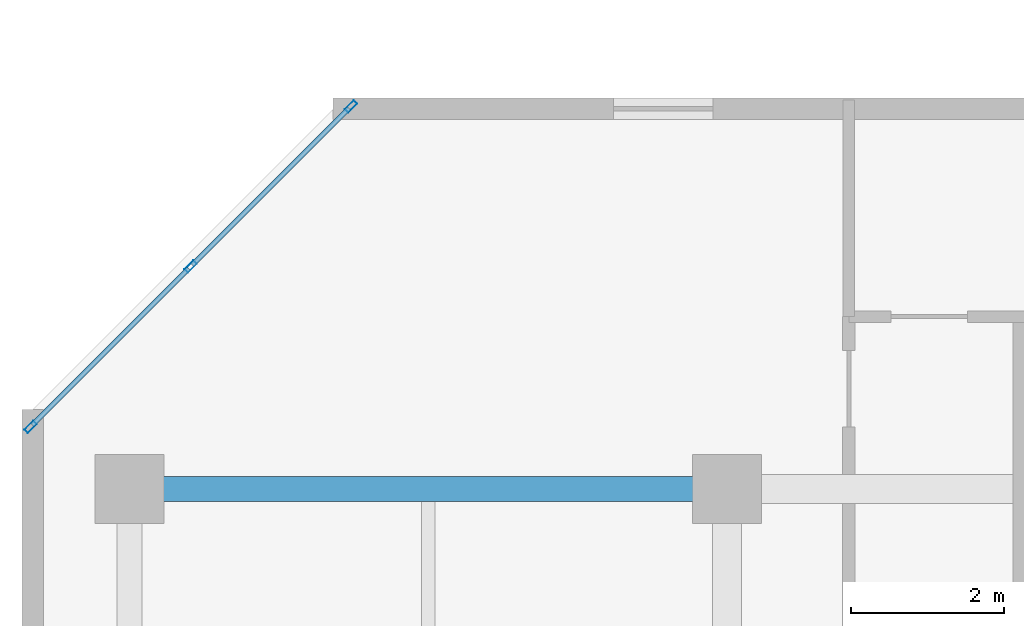
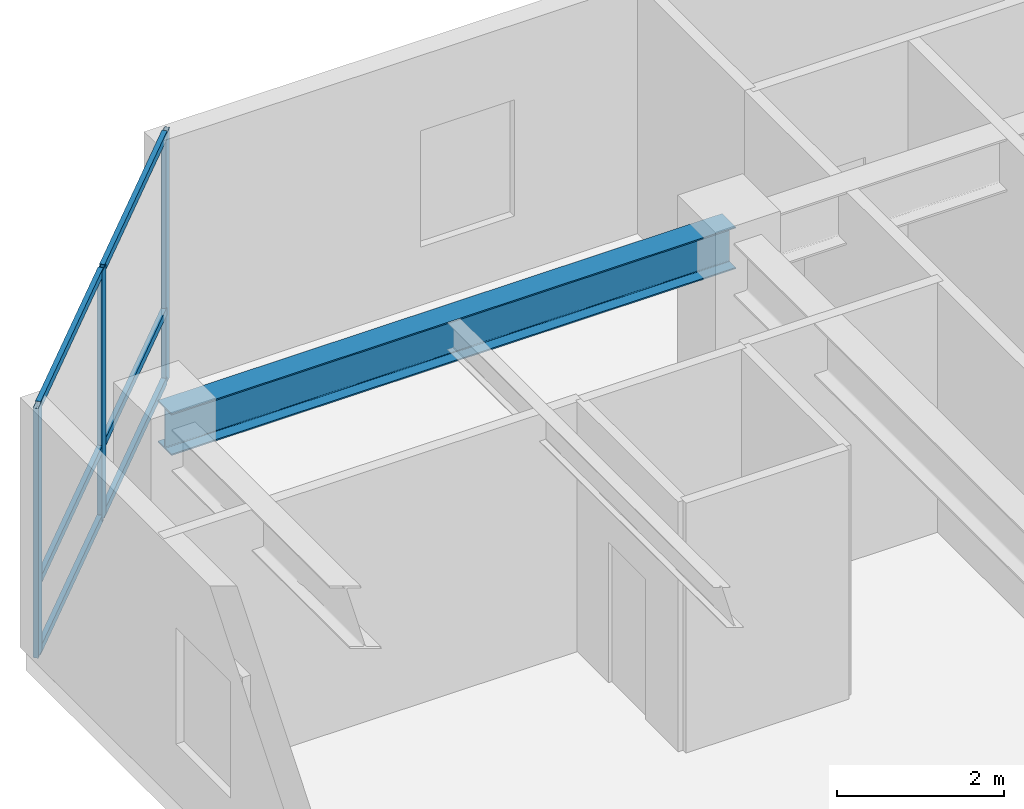
# One storey, part 2 of 10: 9 members, 1 beam, 1 element without a shape of its own.
"""IFC4 building model written with IfcOpenShell, lengths in metres."""

from ifc_helpers import new_model, si_unit, direction, frame, origin, origin_2d, place, context, subcontext, project, spatial, hollow_rectangle, i_section, extrude, material, layer, layer_set, material_profile, profile_set, type_object, element, aggregate, save


model = new_model("IFC4")

# Units and contexts
model_context = context("Model", 3, precision=1e-05, world=origin(), true_north=direction((0.0, 1.0)))
body_context = subcontext(model_context, "Body", "Model", "MODEL_VIEW")
ifc_project = project(units=[si_unit("LENGTHUNIT", "METRE"), si_unit("AREAUNIT", "SQUARE_METRE"), si_unit("VOLUMEUNIT", "CUBIC_METRE"), si_unit("PLANEANGLEUNIT", "RADIAN"), si_unit("MASSUNIT", "GRAM", prefix="KILO")], contexts=[model_context])

# Site, building, storey
site_placement = place(None, origin())
site = spatial("IfcSite", under=ifc_project, at=site_placement, CompositionType="ELEMENT")
building_placement = place(site_placement, origin())
building = spatial("IfcBuilding", under=site, at=building_placement, Name="Kestravale Grand Hotel", CompositionType="ELEMENT")
storey_placement = place(building_placement, frame((0.0, 0.0, 224.10009765625)))
storey = spatial("IfcBuildingStorey", under=building, at=storey_placement, Name="L56", CompositionType="ELEMENT", Elevation=224.10009765625)

# Beam
ifc_material_1 = material(Name="Steel ASTM A992 Grade 50", Category="steel")
ifc_material_profile_1 = material_profile(ifc_material_1, i_section(OverallWidth=0.324951171875, OverallDepth=0.612060546875, WebThickness=0.0126953125, FlangeThickness=0.01904296875, FilletRadius=0.018798828125, at=origin_2d()))
ifc_profile_set_1 = profile_set([ifc_material_profile_1], Name="Steel ASTM A992 Grade 50")
beam_type = type_object("IfcBeamType", Name="B-FLR-W24A", PredefinedType="SPANDREL", material=ifc_profile_set_1)
beam_placement = place(storey_placement, frame((7.800048828125, 38.39990234375, 3.343994140625), z_axis=(1.0, 0.0, 0.0), x_axis=(0.0, 1.0, 0.0)))
element("IfcBeam", 1, at=beam_placement, inside=storey, type_object=beam_type, Name="L56 spandrel F:2-3", PredefinedType="SPANDREL", context=body_context, shape_type="SweptSolid", body=[
    extrude(i_section(OverallWidth=0.324951171875, OverallDepth=0.612060546875, WebThickness=0.0126953125, FlangeThickness=0.01904296875, FilletRadius=0.018798828125, at=origin_2d()), origin(), (0.0, 0.0, 1.0), 7.800048828125),
])

# Curtain wall, members
ifc_material_2 = material(Name="Thermally broken champagne-bronze aluminium and low-E glazing", Category="aluminium")
ifc_layer = layer(ifc_material_2, 0.179931640625)
ifc_layer_set = layer_set([ifc_layer], Name="CW-Z3")
curtain_wall_type = type_object("IfcCurtainWallType", Name="CW-Z3", PredefinedType="NOTDEFINED", material=ifc_layer_set)
curtain_wall_placement = place(storey_placement, origin())
curtain_wall = element("IfcCurtainWall", 2, at=curtain_wall_placement, inside=storey, type_object=curtain_wall_type, Name="L56 unitised curtain wall 18", PredefinedType="NOTDEFINED")
ifc_material_3 = material(Name="Aluminium 6063-T6 anodised", Category="aluminium")
ifc_material_profile_2 = material_profile(ifc_material_3, hollow_rectangle(XDim=0.06494140625, YDim=0.1650390625, WallThickness=0.00341796875, at=origin_2d()))
ifc_profile_set_2 = profile_set([ifc_material_profile_2], Name="Aluminium 6063-T6 anodised")
member_type_1 = type_object("IfcMemberType", Name="CW-MUL-165", PredefinedType="MULLION", material=ifc_profile_set_2)
member_1_placement = place(storey_placement, frame((10.690185546875, 43.392333984375, 0.0), z_axis=(0.0, 0.0, 1.0), x_axis=(0.707106781187, -0.707106781187, 0.0)))
member_1 = element("IfcMember", 3, at=member_1_placement, type_object=member_type_1, Name="CW-Z3 mullion 1", PredefinedType="MULLION", context=body_context, shape_type="SweptSolid", body=[
    extrude(hollow_rectangle(XDim=0.06494140625, YDim=0.1650390625, WallThickness=0.00341796875, at=origin_2d()), origin(), (0.0, 0.0, 1.0), 3.64990234375),
])
member_2_placement = place(storey_placement, frame((8.59912109375, 41.301025390625, 0.0), z_axis=(0.0, 0.0, 1.0), x_axis=(0.707106781187, -0.707106781187, 0.0)))
member_2 = element("IfcMember", 4, at=member_2_placement, type_object=member_type_1, Name="CW-Z3 mullion 2", PredefinedType="MULLION", context=body_context, shape_type="SweptSolid", body=[
    extrude(hollow_rectangle(XDim=0.06494140625, YDim=0.1650390625, WallThickness=0.00341796875, at=origin_2d()), origin(), (0.0, 0.0, 1.0), 3.64990234375),
])
member_3_placement = place(storey_placement, frame((6.5078125, 39.209716796875, 0.0), z_axis=(0.0, 0.0, 1.0), x_axis=(0.707106781187, -0.707106781187, 0.0)))
member_3 = element("IfcMember", 5, at=member_3_placement, type_object=member_type_1, Name="CW-Z3 mullion 3", PredefinedType="MULLION", context=body_context, shape_type="SweptSolid", body=[
    extrude(hollow_rectangle(XDim=0.06494140625, YDim=0.1650390625, WallThickness=0.00341796875, at=origin_2d()), origin(), (0.0, 0.0, 1.0), 3.64990234375),
])
ifc_material_4 = material(Name="Aluminium 6063-T6 anodised", Category="aluminium")
ifc_material_profile_3 = material_profile(ifc_material_4, hollow_rectangle(XDim=0.06494140625, YDim=0.114990234375, WallThickness=0.003173828125, at=origin_2d()))
ifc_profile_set_3 = profile_set([ifc_material_profile_3], Name="Aluminium 6063-T6 anodised")
member_type_2 = type_object("IfcMemberType", Name="CW-TRN-115", PredefinedType="USERDEFINED", material=ifc_profile_set_3)
member_4_placement = place(storey_placement, frame((10.667236328125, 43.369140625, 0.032470703125), z_axis=(-0.707106781187, -0.707106781187, 0.0), x_axis=(0.707106781187, -0.707106781187, 0.0)))
member_4 = element("IfcMember", 6, at=member_4_placement, type_object=member_type_2, Name="CW-Z3 transom 1.1", ObjectType="TRANSOM", PredefinedType="USERDEFINED", context=body_context, shape_type="SweptSolid", body=[
    extrude(hollow_rectangle(XDim=0.06494140625, YDim=0.114990234375, WallThickness=0.003173828125, at=origin_2d()), origin(), (0.0, 0.0, 1.0), 2.892333984375),
])
member_5_placement = place(storey_placement, frame((10.667236328125, 43.369140625, 1.0498046875), z_axis=(-0.707106781187, -0.707106781187, 0.0), x_axis=(0.707106781187, -0.707106781187, 0.0)))
member_5 = element("IfcMember", 7, at=member_5_placement, type_object=member_type_2, Name="CW-Z3 transom 1.2", ObjectType="TRANSOM", PredefinedType="USERDEFINED", context=body_context, shape_type="SweptSolid", body=[
    extrude(hollow_rectangle(XDim=0.06494140625, YDim=0.114990234375, WallThickness=0.003173828125, at=origin_2d()), origin(), (0.0, 0.0, 1.0), 2.892333984375),
])
member_6_placement = place(storey_placement, frame((10.667236328125, 43.369140625, 3.617431640625), z_axis=(-0.707106781187, -0.707106781187, 0.0), x_axis=(0.707106781187, -0.707106781187, 0.0)))
member_6 = element("IfcMember", 8, at=member_6_placement, type_object=member_type_2, Name="CW-Z3 transom 1.3", ObjectType="TRANSOM", PredefinedType="USERDEFINED", context=body_context, shape_type="SweptSolid", body=[
    extrude(hollow_rectangle(XDim=0.06494140625, YDim=0.114990234375, WallThickness=0.003173828125, at=origin_2d()), origin(), (0.0, 0.0, 1.0), 2.892333984375),
])
member_7_placement = place(storey_placement, frame((8.575927734375, 41.278076171875, 0.032470703125), z_axis=(-0.707064577195, -0.707148982659, 0.0), x_axis=(0.707148982659, -0.707064577195, 0.0)))
member_7 = element("IfcMember", 9, at=member_7_placement, type_object=member_type_2, Name="CW-Z3 transom 2.1", ObjectType="TRANSOM", PredefinedType="USERDEFINED", context=body_context, shape_type="SweptSolid", body=[
    extrude(hollow_rectangle(XDim=0.06494140625, YDim=0.114990234375, WallThickness=0.003173828125, at=origin_2d()), origin(), (0.0, 0.0, 1.0), 2.892578125),
])
member_8_placement = place(storey_placement, frame((8.575927734375, 41.278076171875, 1.0498046875), z_axis=(-0.707064577195, -0.707148982659, 0.0), x_axis=(0.707148982659, -0.707064577195, 0.0)))
member_8 = element("IfcMember", 10, at=member_8_placement, type_object=member_type_2, Name="CW-Z3 transom 2.2", ObjectType="TRANSOM", PredefinedType="USERDEFINED", context=body_context, shape_type="SweptSolid", body=[
    extrude(hollow_rectangle(XDim=0.06494140625, YDim=0.114990234375, WallThickness=0.003173828125, at=origin_2d()), origin(), (0.0, 0.0, 1.0), 2.892578125),
])
member_9_placement = place(storey_placement, frame((8.575927734375, 41.278076171875, 3.617431640625), z_axis=(-0.707064577195, -0.707148982659, 0.0), x_axis=(0.707148982659, -0.707064577195, 0.0)))
member_9 = element("IfcMember", 11, at=member_9_placement, type_object=member_type_2, Name="CW-Z3 transom 2.3", ObjectType="TRANSOM", PredefinedType="USERDEFINED", context=body_context, shape_type="SweptSolid", body=[
    extrude(hollow_rectangle(XDim=0.06494140625, YDim=0.114990234375, WallThickness=0.003173828125, at=origin_2d()), origin(), (0.0, 0.0, 1.0), 2.892578125),
])
aggregate(curtain_wall, [member_1, member_2, member_3, member_4, member_5, member_6, member_7, member_8, member_9])

save(model, "model.ifc")
